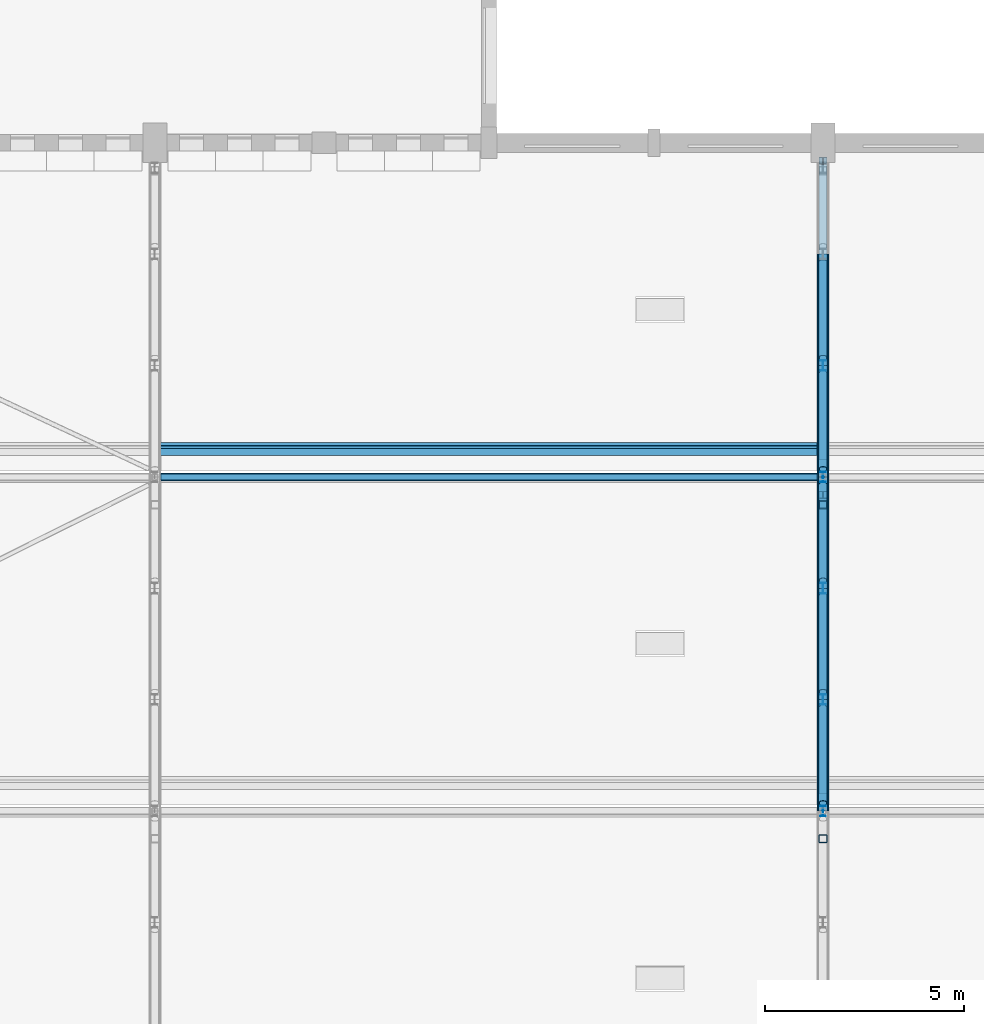
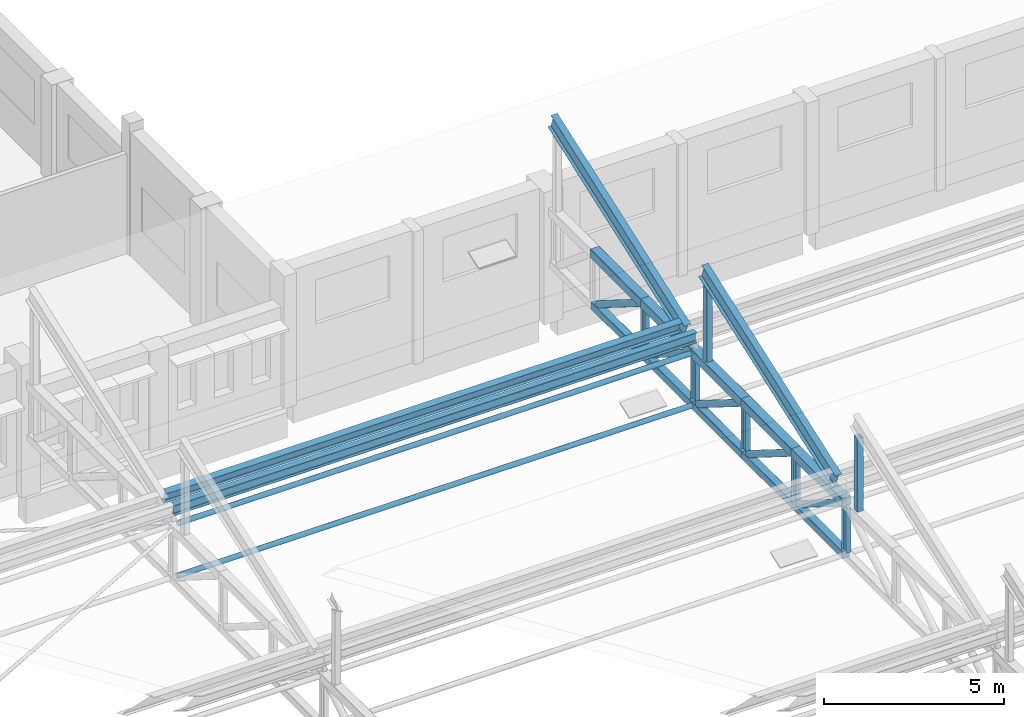
# One storey, part 20 of 101: 27 members, 1 beam.
"""IFC4 building model written with IfcOpenShell, lengths in metres."""

from ifc_helpers import new_model, si_unit, direction, frame, origin, origin_2d, place, context, subcontext, project, spatial, hollow_rectangle, hollow_circle, i_section, extrude, material, material_profile, profile_set, type_object, element, save


model = new_model("IFC4")

# Units and contexts
model_context = context("Model", 3, precision=1e-05, world=origin(), true_north=direction((0.0, 1.0)))
body_context = subcontext(model_context, "Body", "Model", "MODEL_VIEW")
ifc_project = project(units=[si_unit("LENGTHUNIT", "METRE"), si_unit("AREAUNIT", "SQUARE_METRE"), si_unit("VOLUMEUNIT", "CUBIC_METRE"), si_unit("PLANEANGLEUNIT", "RADIAN"), si_unit("MASSUNIT", "GRAM", prefix="KILO")], contexts=[model_context])

# Site, building, storey
site_placement = place(None, origin())
site = spatial("IfcSite", under=ifc_project, at=site_placement, CompositionType="ELEMENT")
building_placement = place(site_placement, origin())
building = spatial("IfcBuilding", under=site, at=building_placement, Name="Fescue Hill Polytechnic", CompositionType="ELEMENT")
storey_placement = place(building_placement, frame((0.0, 0.0, 9.0)))
storey = spatial("IfcBuildingStorey", under=building, at=storey_placement, Name="L02", CompositionType="ELEMENT", Elevation=9.0)

# Members
ifc_material = material(Name="Steel 350W (350 MPa)", Category="steel")
ifc_material_profile_1 = material_profile(ifc_material, hollow_rectangle(XDim=0.25390625, YDim=0.25390625, WallThickness=0.0126953125, InnerFilletRadius=0.0126953125, OuterFilletRadius=0.025390625, at=origin_2d()), Name="Hall truss bottom chord HSS 254x254x13")
ifc_profile_set_1 = profile_set([ifc_material_profile_1], Name="Steel 350W (350 MPa)")
member_type_1 = type_object("IfcMemberType", Name="Hall truss bottom chord HSS 254x254x13", PredefinedType="CHORD", material=ifc_profile_set_1)
member_1_placement = place(storey_placement, frame((33.60009765625, 33.60009765625, 2.0), z_axis=(0.0, 1.0, 0.0), x_axis=(-1.0, 0.0, 0.0)))
element("IfcMember", 1, at=member_1_placement, inside=storey, type_object=member_type_1, Name="Truss TR3 bottom chord 7", PredefinedType="CHORD", context=body_context, shape_type="SweptSolid", body=[
    extrude(hollow_rectangle(XDim=0.25390625, YDim=0.25390625, WallThickness=0.0126953125, InnerFilletRadius=0.0126953125, OuterFilletRadius=0.025390625, at=origin_2d()), origin(), (0.0, 0.0, 1.0), 2.7998046875),
])
for number, where, z_axis, x_axis, name in (
    (2, (33.60009765625, 36.39990234375, 2.0), (0.0, 1.0, 0.0), (-1.0, 0.0, 0.0), "Truss TR3 bottom chord 8"),
    (3, (33.60009765625, 39.199951171875, 2.0), (0.0, 1.0, 0.0), (-1.0, 0.0, 0.0), "Truss TR3 bottom chord 9"),
    (4, (33.60009765625, 42.0, 2.0), (0.0, 1.0, 0.0), (-1.0, 0.0, 0.0), "Truss TR3 bottom chord 10"),
    (5, (33.60009765625, 44.800048828125, 2.0), (0.0, 1.0, 0.0), (-1.0, 0.0, 0.0), "Truss TR3 bottom chord 11"),
):
    element("IfcMember", number, at=place(storey_placement, frame(where, z_axis=z_axis, x_axis=x_axis)), inside=storey, type_object=member_type_1, Name=name, PredefinedType="CHORD", context=body_context, shape_type="SweptSolid", body=[
        extrude(hollow_rectangle(XDim=0.25390625, YDim=0.25390625, WallThickness=0.0126953125, InnerFilletRadius=0.0126953125, OuterFilletRadius=0.025390625, at=origin_2d()), origin(), (0.0, 0.0, 1.0), 2.800048828125),
    ])
ifc_material_profile_2 = material_profile(ifc_material, hollow_circle(Radius=0.109619140625, WallThickness=0.009521484375, at=origin_2d()), Name="Hall truss diagonal CHS 219x9.5")
ifc_profile_set_2 = profile_set([ifc_material_profile_2], Name="Steel 350W (350 MPa)")
member_type_2 = type_object("IfcMemberType", Name="Hall truss diagonal CHS 219x9.5", PredefinedType="BRACE", material=ifc_profile_set_2)
for number, where, z_axis, x_axis, name in (
    (6, (33.60009765625, 33.800048828125, 3.631103515625), (0.0, 0.847329350891, -0.531067765091), (-1.0, 0.0, 0.0), "Truss TR3 diagonal 7"),
    (7, (33.60009765625, 36.60009765625, 3.631103515625), (0.0, 0.847329350891, -0.531067765091), (-1.0, 0.0, 0.0), "Truss TR3 diagonal 8"),
):
    element("IfcMember", number, at=place(storey_placement, frame(where, z_axis=z_axis, x_axis=x_axis)), inside=storey, type_object=member_type_2, Name=name, PredefinedType="BRACE", context=body_context, shape_type="SweptSolid", body=[
        extrude(hollow_circle(Radius=0.109619140625, WallThickness=0.009521484375, at=origin_2d()), origin(), (0.0, 0.0, 1.0), 2.832275390625),
    ])
for number, where, z_axis, x_axis, name in (
    (8, (33.60009765625, 39.39990234375, 3.631103515625), (0.0, 0.847353658992, -0.531028979051), (-1.0, 0.0, 0.0), "Truss TR3 diagonal 9"),
    (9, (33.60009765625, 42.199951171875, 3.631103515625), (0.0, 0.847353658992, -0.531028979051), (-1.0, 0.0, 0.0), "Truss TR3 diagonal 10"),
):
    element("IfcMember", number, at=place(storey_placement, frame(where, z_axis=z_axis, x_axis=x_axis)), inside=storey, type_object=member_type_2, Name=name, PredefinedType="BRACE", context=body_context, shape_type="SweptSolid", body=[
        extrude(hollow_circle(Radius=0.109619140625, WallThickness=0.009521484375, at=origin_2d()), origin(), (0.0, 0.0, 1.0), 2.83251953125),
    ])
member_2_placement = place(storey_placement, frame((33.60009765625, 45.0, 3.631103515625), z_axis=(0.0, 0.847329350891, -0.531067765091), x_axis=(-1.0, 0.0, 0.0)))
element("IfcMember", 10, at=member_2_placement, inside=storey, type_object=member_type_2, Name="Truss TR3 diagonal 11", PredefinedType="BRACE", context=body_context, shape_type="SweptSolid", body=[
    extrude(hollow_circle(Radius=0.109619140625, WallThickness=0.009521484375, at=origin_2d()), origin(), (0.0, 0.0, 1.0), 2.832275390625),
])
ifc_material_profile_3 = material_profile(ifc_material, i_section(OverallWidth=0.14794921875, OverallDepth=0.26611328125, WebThickness=0.007568359375, FlangeThickness=0.012939453125, FilletRadius=0.013916015625, at=origin_2d()), Name="W250x45")
ifc_profile_set_3 = profile_set([ifc_material_profile_3], Name="Steel 350W (350 MPa)")
member_type_3 = type_object("IfcMemberType", Name="Hall truss post W250x45", PredefinedType="POST", material=ifc_profile_set_3)
for number, where, z_axis, x_axis, name in (
    (11, (33.60009765625, 33.60009765625, 2.126953125), (0.0, 0.0, 1.0), (1.0, 0.0, 0.0), "Truss TR3 post 7"),
    (12, (33.60009765625, 36.39990234375, 2.126953125), (0.0, 0.0, 1.0), (1.0, 0.0, 0.0), "Truss TR3 post 8"),
    (13, (33.60009765625, 39.199951171875, 2.126953125), (0.0, 0.0, 1.0), (1.0, 0.0, 0.0), "Truss TR3 post 9"),
    (14, (33.60009765625, 42.0, 2.126953125), (0.0, 0.0, 1.0), (1.0, 0.0, 0.0), "Truss TR3 post 10"),
    (15, (33.60009765625, 44.800048828125, 2.126953125), (0.0, 0.0, 1.0), (1.0, 0.0, 0.0), "Truss TR3 post 11"),
):
    element("IfcMember", number, at=place(storey_placement, frame(where, z_axis=z_axis, x_axis=x_axis)), inside=storey, type_object=member_type_3, Name=name, PredefinedType="POST", context=body_context, shape_type="SweptSolid", body=[
        extrude(i_section(OverallWidth=0.14794921875, OverallDepth=0.26611328125, WebThickness=0.007568359375, FlangeThickness=0.012939453125, FilletRadius=0.013916015625, at=origin_2d()), origin(), (0.0, 0.0, 1.0), 1.504150390625),
    ])
ifc_material_profile_4 = material_profile(ifc_material, hollow_circle(Radius=0.084228515625, WallThickness=0.009521484375, at=origin_2d()), Name="Hall truss tie strut CHS 168x9.5")
ifc_profile_set_4 = profile_set([ifc_material_profile_4], Name="Steel 350W (350 MPa)")
member_type_4 = type_object("IfcMemberType", Name="Hall truss tie strut CHS 168x9.5", PredefinedType="STRUT", material=ifc_profile_set_4)
member_3_placement = place(storey_placement, frame((16.952392578125, 42.0, 3.783447265625), z_axis=(1.0, 0.0, 0.0), x_axis=(0.0, 1.0, 0.0)))
element("IfcMember", 16, at=member_3_placement, inside=storey, type_object=member_type_4, Name="Top chord tie strut bay 2 line 3", PredefinedType="STRUT", context=body_context, shape_type="SweptSolid", body=[
    extrude(hollow_circle(Radius=0.084228515625, WallThickness=0.009521484375, at=origin_2d()), origin(), (0.0, 0.0, 1.0), 16.4951171875),
])
member_4_placement = place(storey_placement, frame((16.927001953125, 42.0, 2.0), z_axis=(1.0, 0.0, 0.0), x_axis=(0.0, 1.0, 0.0)))
element("IfcMember", 17, at=member_4_placement, inside=storey, type_object=member_type_4, Name="Bottom chord tie strut bay 2 line 3", PredefinedType="STRUT", context=body_context, shape_type="SweptSolid", body=[
    extrude(hollow_circle(Radius=0.084228515625, WallThickness=0.009521484375, at=origin_2d()), origin(), (0.0, 0.0, 1.0), 16.5458984375),
])
ifc_material_profile_5 = material_profile(ifc_material, hollow_rectangle(XDim=0.3046875, YDim=0.3046875, WallThickness=0.0126953125, InnerFilletRadius=0.0126953125, OuterFilletRadius=0.025390625, at=origin_2d()), Name="Hall truss top chord HSS 305x305x13")
ifc_profile_set_5 = profile_set([ifc_material_profile_5], Name="Steel 350W (350 MPa)")
member_type_5 = type_object("IfcMemberType", Name="Hall truss top chord HSS 305x305x13", PredefinedType="CHORD", material=ifc_profile_set_5)
member_5_placement = place(storey_placement, frame((33.60009765625, 33.60009765625, 3.783447265625), z_axis=(0.0, 1.0, 0.0), x_axis=(-1.0, 0.0, 0.0)))
element("IfcMember", 18, at=member_5_placement, inside=storey, type_object=member_type_5, Name="Truss TR3 top chord 7", PredefinedType="CHORD", context=body_context, shape_type="SweptSolid", body=[
    extrude(hollow_rectangle(XDim=0.3046875, YDim=0.3046875, WallThickness=0.0126953125, InnerFilletRadius=0.0126953125, OuterFilletRadius=0.025390625, at=origin_2d()), origin(), (0.0, 0.0, 1.0), 2.7998046875),
])
for number, where, z_axis, x_axis, name in (
    (19, (33.60009765625, 36.39990234375, 3.783447265625), (0.0, 1.0, 0.0), (-1.0, 0.0, 0.0), "Truss TR3 top chord 8"),
    (20, (33.60009765625, 39.199951171875, 3.783447265625), (0.0, 1.0, 0.0), (-1.0, 0.0, 0.0), "Truss TR3 top chord 9"),
    (21, (33.60009765625, 42.0, 3.783447265625), (0.0, 1.0, 0.0), (-1.0, 0.0, 0.0), "Truss TR3 top chord 10"),
    (22, (33.60009765625, 44.800048828125, 3.783447265625), (0.0, 1.0, 0.0), (-1.0, 0.0, 0.0), "Truss TR3 top chord 11"),
):
    element("IfcMember", number, at=place(storey_placement, frame(where, z_axis=z_axis, x_axis=x_axis)), inside=storey, type_object=member_type_5, Name=name, PredefinedType="CHORD", context=body_context, shape_type="SweptSolid", body=[
        extrude(hollow_rectangle(XDim=0.3046875, YDim=0.3046875, WallThickness=0.0126953125, InnerFilletRadius=0.0126953125, OuterFilletRadius=0.025390625, at=origin_2d()), origin(), (0.0, 0.0, 1.0), 2.800048828125),
    ])
ifc_material_profile_6 = material_profile(ifc_material, i_section(OverallWidth=0.18994140625, OverallDepth=0.45703125, WebThickness=0.009033203125, FlangeThickness=0.014404296875, FilletRadius=0.0166015625, at=origin_2d()), Name="W460x74")
ifc_profile_set_6 = profile_set([ifc_material_profile_6], Name="Steel 350W (350 MPa)")
member_type_6 = type_object("IfcMemberType", Name="Tooth purlin W460x74", PredefinedType="PURLIN", material=ifc_profile_set_6)
member_6_placement = place(storey_placement, frame((16.904541015625, 42.699951171875, 4.294921875), z_axis=(1.0, 0.0, 0.0), x_axis=(0.0, 0.941741911595, 0.336336396997)))
element("IfcMember", 23, at=member_6_placement, inside=storey, type_object=member_type_6, Name="Tooth 4 purlin 1 bay 2", PredefinedType="PURLIN", context=body_context, shape_type="SweptSolid", body=[
    extrude(i_section(OverallWidth=0.18994140625, OverallDepth=0.45703125, WebThickness=0.009033203125, FlangeThickness=0.014404296875, FilletRadius=0.0166015625, at=origin_2d()), origin(), (0.0, 0.0, 1.0), 16.591064453125),
])
ifc_material_profile_7 = material_profile(ifc_material, i_section(OverallWidth=0.208984375, OverallDepth=0.532958984375, WebThickness=0.01025390625, FlangeThickness=0.015625, FilletRadius=0.016357421875, at=origin_2d()), Name="W530x92")
ifc_profile_set_7 = profile_set([ifc_material_profile_7], Name="Steel 350W (350 MPa)")
member_type_7 = type_object("IfcMemberType", Name="Tooth rafter W530x92", PredefinedType="RAFTER", material=ifc_profile_set_7)
for number, where, z_axis, x_axis, name in (
    (24, (33.60009765625, 34.1103515625, 4.18701171875), (0.0, 0.941744009147, 0.336330523793), (-1.0, 0.0, 0.0), "Tooth 3 rafter on TR3"),
    (25, (33.60009765625, 42.51025390625, 4.18701171875), (0.0, 0.941744009147, 0.336330523793), (-1.0, 0.0, 0.0), "Tooth 4 rafter on TR3"),
):
    element("IfcMember", number, at=place(storey_placement, frame(where, z_axis=z_axis, x_axis=x_axis)), inside=storey, type_object=member_type_7, Name=name, PredefinedType="RAFTER", context=body_context, shape_type="SweptSolid", body=[
        extrude(i_section(OverallWidth=0.208984375, OverallDepth=0.532958984375, WebThickness=0.01025390625, FlangeThickness=0.015625, FilletRadius=0.016357421875, at=origin_2d()), origin(), (0.0, 0.0, 1.0), 7.89990234375),
    ])
ifc_material_profile_8 = material_profile(ifc_material, hollow_rectangle(XDim=0.203125, YDim=0.203125, WallThickness=0.009521484375, InnerFilletRadius=0.009521484375, OuterFilletRadius=0.01904296875, at=origin_2d()), Name="Tooth ridge post HSS 203x203x9.5")
ifc_profile_set_8 = profile_set([ifc_material_profile_8], Name="Steel 350W (350 MPa)")
member_type_8 = type_object("IfcMemberType", Name="Tooth ridge post HSS 203x203x9.5", PredefinedType="POST", material=ifc_profile_set_8)
for number, where, z_axis, x_axis, name in (
    (26, (33.60009765625, 32.89990234375, 3.93603515625), (0.0, 0.0, 1.0), (1.0, 0.0, 0.0), "Tooth 2 ridge post on TR3"),
    (27, (33.60009765625, 41.300048828125, 3.93603515625), (0.0, 0.0, 1.0), (1.0, 0.0, 0.0), "Tooth 3 ridge post on TR3"),
):
    element("IfcMember", number, at=place(storey_placement, frame(where, z_axis=z_axis, x_axis=x_axis)), inside=storey, type_object=member_type_8, Name=name, PredefinedType="POST", context=body_context, shape_type="SweptSolid", body=[
        extrude(hollow_rectangle(XDim=0.203125, YDim=0.203125, WallThickness=0.009521484375, InnerFilletRadius=0.009521484375, OuterFilletRadius=0.01904296875, at=origin_2d()), origin(), (0.0, 0.0, 1.0), 2.499267578125),
    ])

# Beam
ifc_material_profile_9 = material_profile(ifc_material, i_section(OverallWidth=0.2041015625, OverallDepth=0.35009765625, WebThickness=0.008544921875, FlangeThickness=0.01513671875, FilletRadius=0.02197265625, at=origin_2d()), Name="W360x72")
ifc_profile_set_9 = profile_set([ifc_material_profile_9], Name="Steel 350W (350 MPa)")
beam_type = type_object("IfcBeamType", Name="Valley gutter beam W360x72", PredefinedType="BEAM", material=ifc_profile_set_9)
beam_placement = place(storey_placement, frame((16.800048828125, 42.0, 4.324951171875), z_axis=(1.0, 0.0, 0.0), x_axis=(0.0, 1.0, 0.0)))
element("IfcBeam", 28, at=beam_placement, inside=storey, type_object=beam_type, Name="Valley 4 gutter beam bay 2", PredefinedType="BEAM", context=body_context, shape_type="SweptSolid", body=[
    extrude(i_section(OverallWidth=0.2041015625, OverallDepth=0.35009765625, WebThickness=0.008544921875, FlangeThickness=0.01513671875, FilletRadius=0.02197265625, at=origin_2d()), origin(), (0.0, 0.0, 1.0), 16.800048828125),
])

save(model, "model.ifc")
